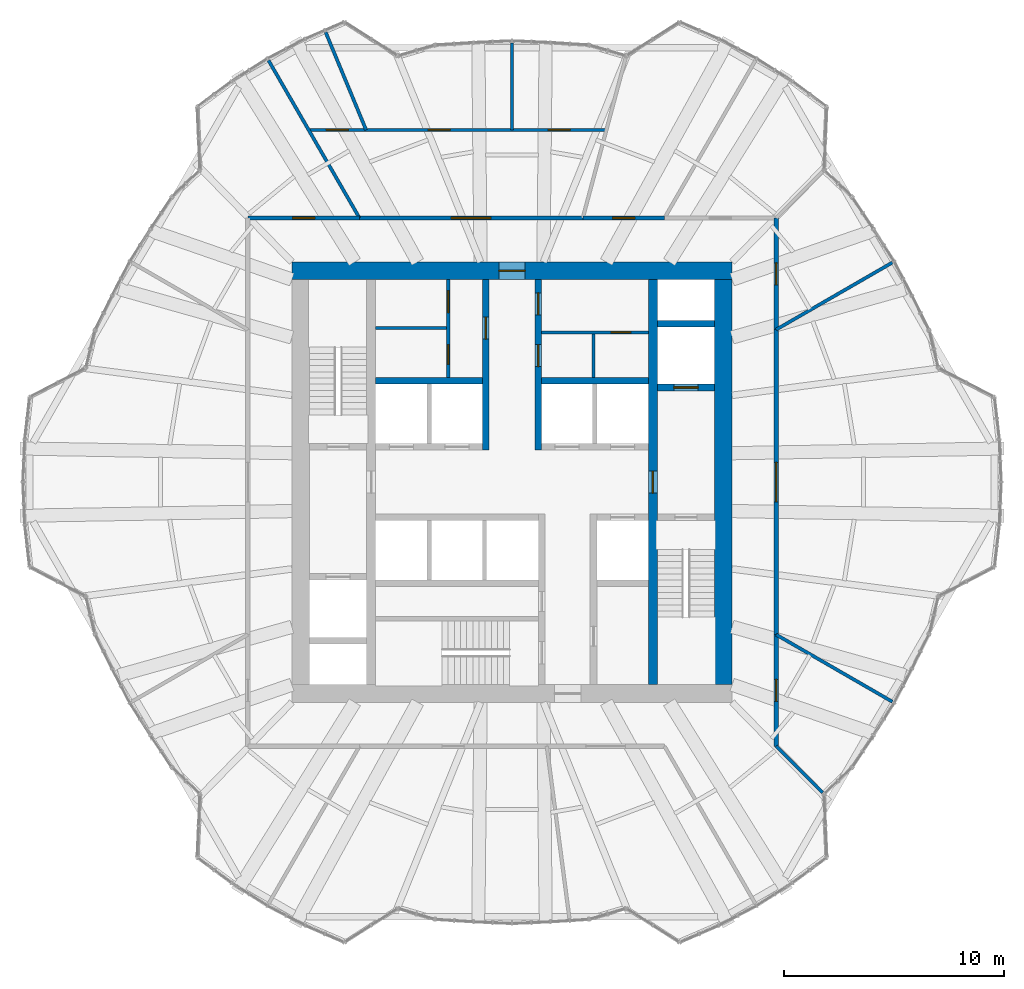
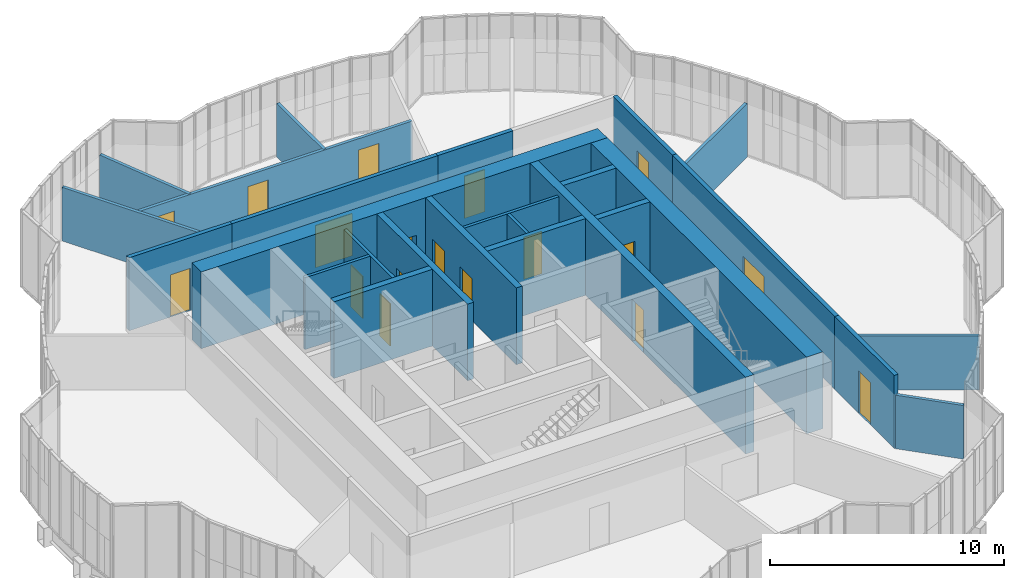
# One storey, part 22 of 24: 26 walls, 18 doors, 18 openings.
"""IFC4 building model written with IfcOpenShell, lengths in metres."""

from ifc_helpers import new_model, si_unit, direction, frame, frame_2d, origin, place, context, subcontext, project, spatial, rectangle, extrude, material, layer, layer_set, type_object, element, fill, save


model = new_model("IFC4")

# Units and contexts
model_context = context("Model", 3, precision=1e-05, world=origin(), true_north=direction((0.0, 1.0)))
body_context = subcontext(model_context, "Body", "Model", "MODEL_VIEW")
ifc_project = project(units=[si_unit("LENGTHUNIT", "METRE"), si_unit("AREAUNIT", "SQUARE_METRE"), si_unit("VOLUMEUNIT", "CUBIC_METRE"), si_unit("PLANEANGLEUNIT", "RADIAN"), si_unit("MASSUNIT", "GRAM", prefix="KILO")], contexts=[model_context])

# Site, building, storey
site_placement = place(None, origin())
site = spatial("IfcSite", under=ifc_project, at=site_placement, CompositionType="ELEMENT")
building_placement = place(site_placement, origin())
building = spatial("IfcBuilding", under=site, at=building_placement, Name="Golbaran Civic Tower", CompositionType="ELEMENT")
storey_placement = place(building_placement, frame((0.0, 0.0, 25.0)))
storey = spatial("IfcBuildingStorey", under=building, at=storey_placement, Name="L05", CompositionType="ELEMENT", Elevation=25.0)

# Wall, opening, door
ifc_material_1 = material(Name="Concrete block", Category="concrete")
ifc_layer_1 = layer(ifc_material_1, 0.14990234375, Name="Concrete block")
ifc_layer_set_1 = layer_set([ifc_layer_1], Name="Concrete block")
wall_type_1 = type_object("IfcWallType", Name="BLOCKWORK PARTITION 150", PredefinedType="PARTITIONING", material=ifc_layer_set_1)
wall_1_placement = place(storey_placement, frame((1.35009765625, 6.800048828125, 0.0), z_axis=(0.0, 0.0, 1.0), x_axis=(1.0, 0.0, 0.0)))
wall_1 = element("IfcWall", 1, at=wall_1_placement, inside=storey, type_object=wall_type_1, Name="Toilet block partition TN1 L05", PredefinedType="PARTITIONING", context=body_context, shape_type="SweptSolid", body=[
    extrude(rectangle(XDim=4.849853515625, YDim=0.14990234375, at=frame_2d((2.4248046875, 0.0))), origin(), (0.0, 0.0, 1.0), 3.75),
])
opening_1_placement = place(wall_1_placement, frame((3.14990234375, 0.0, 0.0)))
opening_1 = element("IfcOpeningElement", 2, at=opening_1_placement, cuts=wall_1, Name="Opening L05.CLN", PredefinedType="OPENING", context=body_context, shape_type="SweptSolid", body=[
    extrude(rectangle(XDim=0.89990234375, YDim=2.199951171875, at=frame_2d((0.449951171875, 1.10009765625))), frame((0.0, 0.0849609375, 0.0), z_axis=(0.0, -1.0, 0.0), x_axis=(1.0, 0.0, 0.0)), (0.0, 0.0, 1.0), 0.169921875),
])
ifc_material_2 = material(Name="Timber door set in steel frame", Category="steel")
door_type_1 = type_object("IfcDoorType", Name="RISER DOOR 900x2200", OperationType="SINGLE_SWING_LEFT", PredefinedType="DOOR", material=ifc_material_2)
door_1_placement = place(opening_1_placement, origin())
door_1 = element("IfcDoor", 3, at=door_1_placement, inside=storey, type_object=door_type_1, Name="Floor Store door", OperationType="SINGLE_SWING_RIGHT", OverallHeight=2.199951171875, OverallWidth=0.89990234375, PredefinedType="DOOR", context=body_context, shape_type="SweptSolid", body=[
    extrude(rectangle(XDim=0.89990234375, YDim=2.199951171875, at=frame_2d((0.449951171875, 1.10009765625))), frame((0.0, 0.02490234375, 0.0), z_axis=(0.0, -1.0, 0.0), x_axis=(1.0, 0.0, 0.0)), (0.0, 0.0, 1.0), 0.050048828125),
])
fill(opening_1, door_1)

# Wall
wall_2_placement = place(storey_placement, frame((3.699951171875, 4.75, 0.0), z_axis=(0.0, 0.0, 1.0), x_axis=(0.0, 1.0, 0.0)))
element("IfcWall", 4, at=wall_2_placement, inside=storey, type_object=wall_type_1, Name="Toilet block partition TN2 L05", PredefinedType="PARTITIONING", context=body_context, shape_type="SweptSolid", body=[
    extrude(rectangle(XDim=1.97509765625, YDim=0.14990234375, at=frame_2d((0.987548828125, 0.0))), origin(), (0.0, 0.0, 1.0), 3.75),
])

# Wall, opening, door
ifc_material_3 = material(Name="Concrete C50/60", Category="concrete")
ifc_layer_2 = layer(ifc_material_3, 0.39990234375, Name="Concrete C50/60")
ifc_layer_set_2 = layer_set([ifc_layer_2], Name="Concrete C50/60")
wall_type_2 = type_object("IfcWallType", Name="CORE WALL CONCRETE 400", PredefinedType="SOLIDWALL", material=ifc_layer_set_2)
wall_3_placement = place(storey_placement, frame((6.39990234375, 9.199951171875, 0.0), z_axis=(0.0, 0.0, 1.0), x_axis=(0.0, -1.0, 0.0)))
wall_3 = element("IfcWall", 5, at=wall_3_placement, inside=storey, type_object=wall_type_2, Name="Core wall IE L05", PredefinedType="SOLIDWALL", context=body_context, shape_type="SweptSolid", body=[
    extrude(rectangle(XDim=18.39990234375, YDim=0.39990234375, at=frame_2d((9.199951171875, 0.0))), origin(), (0.0, 0.0, 1.0), 4.0),
])
opening_2_placement = place(wall_3_placement, frame((8.699951171875, 0.0, 0.0)))
opening_2 = element("IfcOpeningElement", 6, at=opening_2_placement, cuts=wall_3, Name="Opening L05.FL2", PredefinedType="OPENING", context=body_context, shape_type="SweptSolid", body=[
    extrude(rectangle(XDim=1.0, YDim=2.199951171875, at=frame_2d((0.5, 1.10009765625))), frame((0.0, 0.2099609375, 0.0), z_axis=(0.0, -1.0, 0.0), x_axis=(1.0, 0.0, 0.0)), (0.0, 0.0, 1.0), 0.419921875),
])
door_type_2 = type_object("IfcDoorType", Name="STAIR DOOR 1000x2200", OperationType="SINGLE_SWING_LEFT", PredefinedType="DOOR", material=ifc_material_2)
door_2_placement = place(opening_2_placement, origin())
door_2 = element("IfcDoor", 7, at=door_2_placement, inside=storey, type_object=door_type_2, Name="Fire-fighting lobby FL2 door", OperationType="SINGLE_SWING_RIGHT", OverallHeight=2.199951171875, OverallWidth=1.0, PredefinedType="DOOR", context=body_context, shape_type="SweptSolid", body=[
    extrude(rectangle(XDim=1.0, YDim=2.199951171875, at=frame_2d((0.5, 1.10009765625))), frame((0.0, 0.02490234375, 0.0), z_axis=(0.0, -1.0, 0.0), x_axis=(1.0, 0.0, 0.0)), (0.0, 0.0, 1.0), 0.050048828125),
])
fill(opening_2, door_2)

ifc_layer_3 = layer(ifc_material_3, 0.800048828125, Name="Concrete C50/60")
ifc_layer_set_3 = layer_set([ifc_layer_3], Name="Concrete C50/60")
wall_type_3 = type_object("IfcWallType", Name="CORE WALL CONCRETE 800", PredefinedType="SOLIDWALL", material=ifc_layer_set_3)
wall_4_placement = place(storey_placement, frame((-10.0, 9.60009765625, 0.0), z_axis=(0.0, 0.0, 1.0), x_axis=(1.0, 0.0, 0.0)))
wall_4 = element("IfcWall", 8, at=wall_4_placement, inside=storey, type_object=wall_type_3, Name="Core wall CN L05", PredefinedType="SOLIDWALL", context=body_context, shape_type="SweptSolid", body=[
    extrude(rectangle(XDim=20.0, YDim=0.800048828125, at=frame_2d((10.0, 0.0))), origin(), (0.0, 0.0, 1.0), 4.0),
])
opening_3_placement = place(wall_4_placement, frame((9.39990234375, 0.0, 0.0)))
opening_3 = element("IfcOpeningElement", 9, at=opening_3_placement, cuts=wall_4, Name="Opening L05.CN", PredefinedType="OPENING", context=body_context, shape_type="SweptSolid", body=[
    extrude(rectangle(XDim=1.199951171875, YDim=2.199951171875, at=frame_2d((0.60009765625, 1.10009765625))), frame((0.0, 0.409912109375, 0.0), z_axis=(0.0, -1.0, 0.0), x_axis=(1.0, 0.0, 0.0)), (0.0, 0.0, 1.0), 0.820068359375),
])
door_type_3 = type_object("IfcDoorType", Name="CORE DOOR 1200x2200", OperationType="DOUBLE_DOOR_SINGLE_SWING", PredefinedType="DOOR", material=ifc_material_2)
door_3_placement = place(opening_3_placement, origin())
door_3 = element("IfcDoor", 10, at=door_3_placement, inside=storey, type_object=door_type_3, Name="Core door north", OperationType="DOUBLE_DOOR_SINGLE_SWING", OverallHeight=2.199951171875, OverallWidth=1.199951171875, PredefinedType="DOOR", context=body_context, shape_type="SweptSolid", body=[
    extrude(rectangle(XDim=1.199951171875, YDim=2.199951171875, at=frame_2d((0.60009765625, 1.10009765625))), frame((0.0, 0.02490234375, 0.0), z_axis=(0.0, -1.0, 0.0), x_axis=(1.0, 0.0, 0.0)), (0.0, 0.0, 1.0), 0.050048828125),
])
fill(opening_3, door_3)

# Wall
wall_5_placement = place(storey_placement, frame((9.60009765625, -9.199951171875, 0.0), z_axis=(0.0, 0.0, 1.0), x_axis=(0.0, 1.0, 0.0)))
element("IfcWall", 11, at=wall_5_placement, inside=storey, type_object=wall_type_3, Name="Core wall CE L05", PredefinedType="SOLIDWALL", context=body_context, shape_type="SweptSolid", body=[
    extrude(rectangle(XDim=18.39990234375, YDim=0.800048828125, at=frame_2d((9.199951171875, 0.0))), origin(), (0.0, 0.0, 1.0), 4.0),
])

# Wall, opening, door
ifc_material_4 = material(Name="Gypsum board on steel studs, fire-rated", Category="steel")
ifc_layer_4 = layer(ifc_material_4, 0.199951171875, Name="Gypsum board on steel studs, fire-rated")
ifc_layer_set_4 = layer_set([ifc_layer_4], Name="Gypsum board on steel studs, fire-rated")
wall_type_4 = type_object("IfcWallType", Name="CORRIDOR WALL 200", PredefinedType="PARTITIONING", material=ifc_layer_set_4)
wall_6_placement = place(storey_placement, frame((12.0, -6.92822265625, 0.0), z_axis=(0.0, 0.0, 1.0), x_axis=(0.0, 1.0, 0.0)))
wall_6 = element("IfcWall", 12, at=wall_6_placement, inside=storey, type_object=wall_type_4, Name="Corridor wall L05", PredefinedType="PARTITIONING", context=body_context, shape_type="SweptSolid", body=[
    extrude(rectangle(XDim=13.8564453125, YDim=0.199951171875, at=frame_2d((6.92822265625, 0.0))), origin(), (0.0, 0.0, 1.0), 3.800048828125),
])
opening_4_placement = place(wall_6_placement, frame((6.0283203125, 0.0, 0.0)))
opening_4 = element("IfcOpeningElement", 13, at=opening_4_placement, cuts=wall_6, Name="Opening L05.05", PredefinedType="OPENING", context=body_context, shape_type="SweptSolid", body=[
    extrude(rectangle(XDim=1.800048828125, YDim=2.199951171875, at=frame_2d((0.89990234375, 1.10009765625))), frame((0.0, 0.10986328125, 0.0), z_axis=(0.0, -1.0, 0.0), x_axis=(1.0, 0.0, 0.0)), (0.0, 0.0, 1.0), 0.219970703125),
])
door_type_4 = type_object("IfcDoorType", Name="OFFICE DOUBLE DOOR 1800x2200", OperationType="DOUBLE_DOOR_SINGLE_SWING", PredefinedType="DOOR", material=ifc_material_2)
door_4_placement = place(opening_4_placement, origin())
door_4 = element("IfcDoor", 14, at=door_4_placement, inside=storey, type_object=door_type_4, Name="Project Room door L05", OperationType="DOUBLE_DOOR_SINGLE_SWING", OverallHeight=2.199951171875, OverallWidth=1.800048828125, PredefinedType="DOOR", context=body_context, shape_type="SweptSolid", body=[
    extrude(rectangle(XDim=1.800048828125, YDim=2.199951171875, at=frame_2d((0.89990234375, 1.10009765625))), frame((0.0, 0.02490234375, 0.0), z_axis=(0.0, -1.0, 0.0), x_axis=(1.0, 0.0, 0.0)), (0.0, 0.0, 1.0), 0.050048828125),
])
fill(opening_4, door_4)

wall_7_placement = place(storey_placement, frame((12.0, 6.92822265625, 0.0), z_axis=(0.0, 0.0, 1.0), x_axis=(0.0, 1.0, 0.0)))
wall_7 = element("IfcWall", 15, at=wall_7_placement, inside=storey, type_object=wall_type_4, Name="Corridor wall L05", PredefinedType="PARTITIONING", context=body_context, shape_type="SweptSolid", body=[
    extrude(rectangle(XDim=5.07177734375, YDim=0.199951171875, at=frame_2d((2.535888671875, 0.0))), origin(), (0.0, 0.0, 1.0), 3.800048828125),
])
opening_5_placement = place(wall_7_placement, frame((2.035888671875, 0.0, 0.0)))
opening_5 = element("IfcOpeningElement", 16, at=opening_5_placement, cuts=wall_7, Name="Opening L05.06", PredefinedType="OPENING", context=body_context, shape_type="SweptSolid", body=[
    extrude(rectangle(XDim=1.0, YDim=2.199951171875, at=frame_2d((0.5, 1.10009765625))), frame((0.0, 0.10986328125, 0.0), z_axis=(0.0, -1.0, 0.0), x_axis=(1.0, 0.0, 0.0)), (0.0, 0.0, 1.0), 0.219970703125),
])
door_type_5 = type_object("IfcDoorType", Name="OFFICE DOOR 1000x2200", OperationType="SINGLE_SWING_LEFT", PredefinedType="DOOR", material=ifc_material_2)
door_5_placement = place(opening_5_placement, origin())
door_5 = element("IfcDoor", 17, at=door_5_placement, inside=storey, type_object=door_type_5, Name="Prayer Room door L05", OperationType="SINGLE_SWING_LEFT", OverallHeight=2.199951171875, OverallWidth=1.0, PredefinedType="DOOR", context=body_context, shape_type="SweptSolid", body=[
    extrude(rectangle(XDim=1.0, YDim=2.199951171875, at=frame_2d((0.5, 1.10009765625))), frame((0.0, 0.02490234375, 0.0), z_axis=(0.0, -1.0, 0.0), x_axis=(1.0, 0.0, 0.0)), (0.0, 0.0, 1.0), 0.050048828125),
])
fill(opening_5, door_5)

wall_8_placement = place(storey_placement, frame((6.92822265625, 12.0, 0.0), z_axis=(0.0, 0.0, 1.0), x_axis=(-1.0, 0.0, 0.0)))
wall_8 = element("IfcWall", 18, at=wall_8_placement, inside=storey, type_object=wall_type_4, Name="Corridor wall L05", PredefinedType="PARTITIONING", context=body_context, shape_type="SweptSolid", body=[
    extrude(rectangle(XDim=3.712890625, YDim=0.199951171875, at=frame_2d((1.8564453125, 0.0))), origin(), (0.0, 0.0, 1.0), 3.800048828125),
])
opening_6_placement = place(wall_8_placement, frame((1.3564453125, 0.0, 0.0)))
opening_6 = element("IfcOpeningElement", 19, at=opening_6_placement, cuts=wall_8, Name="Opening L05.08", PredefinedType="OPENING", context=body_context, shape_type="SweptSolid", body=[
    extrude(rectangle(XDim=1.0, YDim=2.199951171875, at=frame_2d((0.5, 1.10009765625))), frame((0.0, 0.10986328125, 0.0), z_axis=(0.0, -1.0, 0.0), x_axis=(1.0, 0.0, 0.0)), (0.0, 0.0, 1.0), 0.219970703125),
])
door_6_placement = place(opening_6_placement, origin())
door_6 = element("IfcDoor", 20, at=door_6_placement, inside=storey, type_object=door_type_5, Name="Meeting Room door L05", OperationType="SINGLE_SWING_RIGHT", OverallHeight=2.199951171875, OverallWidth=1.0, PredefinedType="DOOR", context=body_context, shape_type="SweptSolid", body=[
    extrude(rectangle(XDim=1.0, YDim=2.199951171875, at=frame_2d((0.5, 1.10009765625))), frame((0.0, 0.02490234375, 0.0), z_axis=(0.0, -1.0, 0.0), x_axis=(1.0, 0.0, 0.0)), (0.0, 0.0, 1.0), 0.050048828125),
])
fill(opening_6, door_6)

wall_9_placement = place(storey_placement, frame((3.21533203125, 12.0, 0.0), z_axis=(0.0, 0.0, 1.0), x_axis=(-1.0, 0.0, 0.0)))
wall_9 = element("IfcWall", 21, at=wall_9_placement, inside=storey, type_object=wall_type_4, Name="Corridor wall L05", PredefinedType="PARTITIONING", context=body_context, shape_type="SweptSolid", body=[
    extrude(rectangle(XDim=10.1435546875, YDim=0.199951171875, at=frame_2d((5.07177734375, 0.0))), origin(), (0.0, 0.0, 1.0), 3.800048828125),
])
opening_7_placement = place(wall_9_placement, frame((4.171875, 0.0, 0.0)))
opening_7 = element("IfcOpeningElement", 22, at=opening_7_placement, cuts=wall_9, Name="Opening L05.09", PredefinedType="OPENING", context=body_context, shape_type="SweptSolid", body=[
    extrude(rectangle(XDim=1.800048828125, YDim=2.199951171875, at=frame_2d((0.89990234375, 1.10009765625))), frame((0.0, 0.10986328125, 0.0), z_axis=(0.0, -1.0, 0.0), x_axis=(1.0, 0.0, 0.0)), (0.0, 0.0, 1.0), 0.219970703125),
])
door_7_placement = place(opening_7_placement, origin())
door_7 = element("IfcDoor", 23, at=door_7_placement, inside=storey, type_object=door_type_4, Name="Waiting Area door L05", OperationType="DOUBLE_DOOR_SINGLE_SWING", OverallHeight=2.199951171875, OverallWidth=1.800048828125, PredefinedType="DOOR", context=body_context, shape_type="SweptSolid", body=[
    extrude(rectangle(XDim=1.800048828125, YDim=2.199951171875, at=frame_2d((0.89990234375, 1.10009765625))), frame((0.0, 0.02490234375, 0.0), z_axis=(0.0, -1.0, 0.0), x_axis=(1.0, 0.0, 0.0)), (0.0, 0.0, 1.0), 0.050048828125),
])
fill(opening_7, door_7)

wall_10_placement = place(storey_placement, frame((-6.92822265625, 12.0, 0.0), z_axis=(0.0, 0.0, 1.0), x_axis=(-1.0, 0.0, 0.0)))
wall_10 = element("IfcWall", 24, at=wall_10_placement, inside=storey, type_object=wall_type_4, Name="Corridor wall L05", PredefinedType="PARTITIONING", context=body_context, shape_type="SweptSolid", body=[
    extrude(rectangle(XDim=5.07177734375, YDim=0.199951171875, at=frame_2d((2.535888671875, 0.0))), origin(), (0.0, 0.0, 1.0), 3.800048828125),
])
opening_8_placement = place(wall_10_placement, frame((2.035888671875, 0.0, 0.0)))
opening_8 = element("IfcOpeningElement", 25, at=opening_8_placement, cuts=wall_10, Name="Opening L05.10", PredefinedType="OPENING", context=body_context, shape_type="SweptSolid", body=[
    extrude(rectangle(XDim=1.0, YDim=2.199951171875, at=frame_2d((0.5, 1.10009765625))), frame((0.0, 0.10986328125, 0.0), z_axis=(0.0, -1.0, 0.0), x_axis=(1.0, 0.0, 0.0)), (0.0, 0.0, 1.0), 0.219970703125),
])
door_8_placement = place(opening_8_placement, origin())
door_8 = element("IfcDoor", 26, at=door_8_placement, inside=storey, type_object=door_type_5, Name="Quiet Room door L05", OperationType="SINGLE_SWING_RIGHT", OverallHeight=2.199951171875, OverallWidth=1.0, PredefinedType="DOOR", context=body_context, shape_type="SweptSolid", body=[
    extrude(rectangle(XDim=1.0, YDim=2.199951171875, at=frame_2d((0.5, 1.10009765625))), frame((0.0, 0.02490234375, 0.0), z_axis=(0.0, -1.0, 0.0), x_axis=(1.0, 0.0, 0.0)), (0.0, 0.0, 1.0), 0.050048828125),
])
fill(opening_8, door_8)

wall_11_placement = place(storey_placement, frame((12.0, -12.0, 0.0), z_axis=(0.0, 0.0, 1.0), x_axis=(0.0, 1.0, 0.0)))
wall_11 = element("IfcWall", 27, at=wall_11_placement, inside=storey, type_object=wall_type_4, Name="Corridor wall L05", PredefinedType="PARTITIONING", context=body_context, shape_type="SweptSolid", body=[
    extrude(rectangle(XDim=5.07177734375, YDim=0.199951171875, at=frame_2d((2.535888671875, 0.0))), origin(), (0.0, 0.0, 1.0), 3.800048828125),
])
opening_9_placement = place(wall_11_placement, frame((2.035888671875, 0.0, 0.0)))
opening_9 = element("IfcOpeningElement", 28, at=opening_9_placement, cuts=wall_11, Name="Opening L05.15", PredefinedType="OPENING", context=body_context, shape_type="SweptSolid", body=[
    extrude(rectangle(XDim=1.0, YDim=2.199951171875, at=frame_2d((0.5, 1.10009765625))), frame((0.0, 0.10986328125, 0.0), z_axis=(0.0, -1.0, 0.0), x_axis=(1.0, 0.0, 0.0)), (0.0, 0.0, 1.0), 0.219970703125),
])
door_9_placement = place(opening_9_placement, origin())
door_9 = element("IfcDoor", 29, at=door_9_placement, inside=storey, type_object=door_type_5, Name="Print and Copy Room door L05", OperationType="SINGLE_SWING_LEFT", OverallHeight=2.199951171875, OverallWidth=1.0, PredefinedType="DOOR", context=body_context, shape_type="SweptSolid", body=[
    extrude(rectangle(XDim=1.0, YDim=2.199951171875, at=frame_2d((0.5, 1.10009765625))), frame((0.0, 0.02490234375, 0.0), z_axis=(0.0, -1.0, 0.0), x_axis=(1.0, 0.0, 0.0)), (0.0, 0.0, 1.0), 0.050048828125),
])
fill(opening_9, door_9)

# Walls
ifc_material_5 = material(Name="Gypsum board on steel studs", Category="steel")
ifc_layer_5 = layer(ifc_material_5, 0.14990234375, Name="Gypsum board on steel studs")
ifc_layer_set_5 = layer_set([ifc_layer_5], Name="Gypsum board on steel studs")
wall_type_5 = type_object("IfcWallType", Name="OFFICE PARTITION 150", PredefinedType="PARTITIONING", material=ifc_layer_set_5)
for number, where, z_axis, x_axis, name in (
    (30, (12.0, -6.92822265625, 0.0), (0.0, 0.0, 1.0), (0.866024937074, -0.500000808366, 0.0), "Partition 330 L05"),
    (31, (12.0, 6.92822265625, 0.0), (0.0, 0.0, 1.0), (0.866024937074, 0.500000808366, 0.0), "Partition 30 L05"),
):
    element("IfcWall", number, at=place(storey_placement, frame(where, z_axis=z_axis, x_axis=x_axis)), inside=storey, type_object=wall_type_5, Name=name, PredefinedType="PARTITIONING", context=body_context, shape_type="SweptSolid", body=[
        extrude(rectangle(XDim=6.09912109375, YDim=0.14990234375, at=frame_2d((3.049560546875, 0.0))), origin(), (0.0, 0.0, 1.0), 2.7900390625),
    ])
wall_12_placement = place(storey_placement, frame((-6.92822265625, 12.0, 0.0), z_axis=(0.0, 0.0, 1.0), x_axis=(-0.499988970207, 0.866031771745, 0.0)))
element("IfcWall", 32, at=wall_12_placement, inside=storey, type_object=wall_type_5, Name="Partition 120 L05", PredefinedType="PARTITIONING", context=body_context, shape_type="SweptSolid", body=[
    extrude(rectangle(XDim=8.273193359375, YDim=0.14990234375, at=frame_2d((4.13671875, 0.0))), origin(), (0.0, 0.0, 1.0), 2.7900390625),
])
wall_13_placement = place(storey_placement, frame((12.0, -12.0, 0.0), z_axis=(0.0, 0.0, 1.0), x_axis=(0.707106781187, -0.707106781187, 0.0)))
element("IfcWall", 33, at=wall_13_placement, inside=storey, type_object=wall_type_5, Name="Partition 315 L05", PredefinedType="PARTITIONING", context=body_context, shape_type="SweptSolid", body=[
    extrude(rectangle(XDim=2.98486328125, YDim=0.14990234375, at=frame_2d((1.492431640625, 0.0))), origin(), (0.0, 0.0, 1.0), 2.7900390625),
])

# Wall, openings, doors
wall_14_placement = place(storey_placement, frame((4.287109375, 16.0, 0.0), z_axis=(0.0, 0.0, 1.0), x_axis=(-1.0, 0.0, 0.0)))
wall_14 = element("IfcWall", 34, at=wall_14_placement, inside=storey, type_object=wall_type_5, Name="Suite partition L05", PredefinedType="PARTITIONING", context=body_context, shape_type="SweptSolid", body=[
    extrude(rectangle(XDim=13.524658203125, YDim=0.14990234375, at=frame_2d((6.76220703125, 0.0))), origin(), (0.0, 0.0, 1.0), 2.7900390625),
])
opening_10_placement = place(wall_14_placement, frame((1.6435546875, 0.0, 0.0)))
opening_10 = element("IfcOpeningElement", 35, at=opening_10_placement, cuts=wall_14, Name="Opening L05.02", PredefinedType="OPENING", context=body_context, shape_type="SweptSolid", body=[
    extrude(rectangle(XDim=1.0, YDim=2.199951171875, at=frame_2d((0.5, 1.10009765625))), frame((0.0, 0.0849609375, 0.0), z_axis=(0.0, -1.0, 0.0), x_axis=(1.0, 0.0, 0.0)), (0.0, 0.0, 1.0), 0.169921875),
])
opening_11_placement = place(wall_14_placement, frame((7.100830078125, 0.0, 0.0)))
opening_11 = element("IfcOpeningElement", 36, at=opening_11_placement, cuts=wall_14, Name="Opening L05.03", PredefinedType="OPENING", context=body_context, shape_type="SweptSolid", body=[
    extrude(rectangle(XDim=1.0, YDim=2.199951171875, at=frame_2d((0.5, 1.10009765625))), frame((0.0, 0.0849609375, 0.0), z_axis=(0.0, -1.0, 0.0), x_axis=(1.0, 0.0, 0.0)), (0.0, 0.0, 1.0), 0.169921875),
])
opening_12_placement = place(wall_14_placement, frame((11.7197265625, 0.0, 0.0)))
opening_12 = element("IfcOpeningElement", 37, at=opening_12_placement, cuts=wall_14, Name="Opening L05.04", PredefinedType="OPENING", context=body_context, shape_type="SweptSolid", body=[
    extrude(rectangle(XDim=1.0, YDim=2.199951171875, at=frame_2d((0.5, 1.10009765625))), frame((0.0, 0.0849609375, 0.0), z_axis=(0.0, -1.0, 0.0), x_axis=(1.0, 0.0, 0.0)), (0.0, 0.0, 1.0), 0.169921875),
])
door_10_placement = place(opening_10_placement, origin())
door_10 = element("IfcDoor", 38, at=door_10_placement, inside=storey, type_object=door_type_5, Name="Director's Office door L05", OperationType="SINGLE_SWING_LEFT", OverallHeight=2.199951171875, OverallWidth=1.0, PredefinedType="DOOR", context=body_context, shape_type="SweptSolid", body=[
    extrude(rectangle(XDim=1.0, YDim=2.199951171875, at=frame_2d((0.5, 1.10009765625))), frame((0.0, 0.02490234375, 0.0), z_axis=(0.0, -1.0, 0.0), x_axis=(1.0, 0.0, 0.0)), (0.0, 0.0, 1.0), 0.050048828125),
])
fill(opening_10, door_10)
door_11_placement = place(opening_11_placement, origin())
door_11 = element("IfcDoor", 39, at=door_11_placement, inside=storey, type_object=door_type_5, Name="Office door L05", OperationType="SINGLE_SWING_RIGHT", OverallHeight=2.199951171875, OverallWidth=1.0, PredefinedType="DOOR", context=body_context, shape_type="SweptSolid", body=[
    extrude(rectangle(XDim=1.0, YDim=2.199951171875, at=frame_2d((0.5, 1.10009765625))), frame((0.0, 0.02490234375, 0.0), z_axis=(0.0, -1.0, 0.0), x_axis=(1.0, 0.0, 0.0)), (0.0, 0.0, 1.0), 0.050048828125),
])
fill(opening_11, door_11)
door_12_placement = place(opening_12_placement, origin())
door_12 = element("IfcDoor", 40, at=door_12_placement, inside=storey, type_object=door_type_5, Name="Director's Office door L05", OperationType="SINGLE_SWING_RIGHT", OverallHeight=2.199951171875, OverallWidth=1.0, PredefinedType="DOOR", context=body_context, shape_type="SweptSolid", body=[
    extrude(rectangle(XDim=1.0, YDim=2.199951171875, at=frame_2d((0.5, 1.10009765625))), frame((0.0, 0.02490234375, 0.0), z_axis=(0.0, -1.0, 0.0), x_axis=(1.0, 0.0, 0.0)), (0.0, 0.0, 1.0), 0.050048828125),
])
fill(opening_12, door_12)

# Walls
wall_15_placement = place(storey_placement, frame((0.0, 16.0, 0.0), z_axis=(0.0, 0.0, 1.0), x_axis=(0.0, 1.0, 0.0)))
element("IfcWall", 41, at=wall_15_placement, inside=storey, type_object=wall_type_5, Name="Partition 90 L05", PredefinedType="PARTITIONING", context=body_context, shape_type="SweptSolid", body=[
    extrude(rectangle(XDim=3.95556640625, YDim=0.14990234375, at=frame_2d((1.977783203125, 0.0))), origin(), (0.0, 0.0, 1.0), 2.7900390625),
])
wall_16_placement = place(storey_placement, frame((-6.62744140625, 16.0, 0.0), z_axis=(0.0, 0.0, 1.0), x_axis=(-0.382688295595, 0.92387751808, 0.0)))
element("IfcWall", 42, at=wall_16_placement, inside=storey, type_object=wall_type_5, Name="Partition 112.5 L05", PredefinedType="PARTITIONING", context=body_context, shape_type="SweptSolid", body=[
    extrude(rectangle(XDim=4.8056640625, YDim=0.14990234375, at=frame_2d((2.40283203125, 0.0))), origin(), (0.0, 0.0, 1.0), 2.7900390625),
])
ifc_layer_6 = layer(ifc_material_3, 0.300048828125, Name="Concrete C50/60")
ifc_layer_set_6 = layer_set([ifc_layer_6], Name="Concrete C50/60")
wall_type_6 = type_object("IfcWallType", Name="SHAFT WALL CONCRETE 300", PredefinedType="SOLIDWALL", material=ifc_layer_set_6)
for number, where, z_axis, x_axis, name in (
    (43, (-6.199951171875, 4.60009765625, 0.0), (0.0, 0.0, 1.0), (1.0, 0.0, 0.0), "Core wall BNW L05"),
    (44, (1.35009765625, 4.60009765625, 0.0), (0.0, 0.0, 1.0), (1.0, 0.0, 0.0), "Core wall BNE L05"),
):
    element("IfcWall", number, at=place(storey_placement, frame(where, z_axis=z_axis, x_axis=x_axis)), inside=storey, type_object=wall_type_6, Name=name, PredefinedType="SOLIDWALL", context=body_context, shape_type="SweptSolid", body=[
        extrude(rectangle(XDim=4.849853515625, YDim=0.300048828125, at=frame_2d((2.4248046875, 0.0))), origin(), (0.0, 0.0, 1.0), 4.0),
    ])

# Wall, opening, door
wall_17_placement = place(storey_placement, frame((-1.199951171875, 1.449951171875, 0.0), z_axis=(0.0, 0.0, 1.0), x_axis=(0.0, 1.0, 0.0)))
wall_17 = element("IfcWall", 45, at=wall_17_placement, inside=storey, type_object=wall_type_6, Name="Core wall PNW L05", PredefinedType="SOLIDWALL", context=body_context, shape_type="SweptSolid", body=[
    extrude(rectangle(XDim=7.75, YDim=0.300048828125, at=frame_2d((3.875, 0.0))), origin(), (0.0, 0.0, 1.0), 4.0),
])
opening_13_placement = place(wall_17_placement, frame((5.050048828125, 0.0, 0.0)))
opening_13 = element("IfcOpeningElement", 46, at=opening_13_placement, cuts=wall_17, Name="Opening L05.WCM", PredefinedType="OPENING", context=body_context, shape_type="SweptSolid", body=[
    extrude(rectangle(XDim=1.0, YDim=2.199951171875, at=frame_2d((0.5, 1.10009765625))), frame((0.0, 0.159912109375, 0.0), z_axis=(0.0, -1.0, 0.0), x_axis=(1.0, 0.0, 0.0)), (0.0, 0.0, 1.0), 0.320068359375),
])
door_type_6 = type_object("IfcDoorType", Name="TOILET DOOR 1000x2200", OperationType="SINGLE_SWING_LEFT", PredefinedType="DOOR", material=ifc_material_2)
door_13_placement = place(opening_13_placement, origin())
door_13 = element("IfcDoor", 47, at=door_13_placement, inside=storey, type_object=door_type_6, Name="North-west toilet block door", OperationType="SINGLE_SWING_RIGHT", OverallHeight=2.199951171875, OverallWidth=1.0, PredefinedType="DOOR", context=body_context, shape_type="SweptSolid", body=[
    extrude(rectangle(XDim=1.0, YDim=2.199951171875, at=frame_2d((0.5, 1.10009765625))), frame((0.0, 0.02490234375, 0.0), z_axis=(0.0, -1.0, 0.0), x_axis=(1.0, 0.0, 0.0)), (0.0, 0.0, 1.0), 0.050048828125),
])
fill(opening_13, door_13)

# Wall, openings, doors
wall_18_placement = place(storey_placement, frame((1.199951171875, 1.449951171875, 0.0), z_axis=(0.0, 0.0, 1.0), x_axis=(0.0, 1.0, 0.0)))
wall_18 = element("IfcWall", 48, at=wall_18_placement, inside=storey, type_object=wall_type_6, Name="Core wall PNE L05", PredefinedType="SOLIDWALL", context=body_context, shape_type="SweptSolid", body=[
    extrude(rectangle(XDim=7.75, YDim=0.300048828125, at=frame_2d((3.875, 0.0))), origin(), (0.0, 0.0, 1.0), 4.0),
])
opening_14_placement = place(wall_18_placement, frame((3.800048828125, 0.0, 0.0)))
opening_14 = element("IfcOpeningElement", 49, at=opening_14_placement, cuts=wall_18, Name="Opening L05.WCA", PredefinedType="OPENING", context=body_context, shape_type="SweptSolid", body=[
    extrude(rectangle(XDim=1.0, YDim=2.199951171875, at=frame_2d((0.5, 1.10009765625))), frame((0.0, 0.159912109375, 0.0), z_axis=(0.0, -1.0, 0.0), x_axis=(1.0, 0.0, 0.0)), (0.0, 0.0, 1.0), 0.320068359375),
])
opening_15_placement = place(wall_18_placement, frame((6.14990234375, 0.0, 0.0)))
opening_15 = element("IfcOpeningElement", 50, at=opening_15_placement, cuts=wall_18, Name="Opening L05.WCF", PredefinedType="OPENING", context=body_context, shape_type="SweptSolid", body=[
    extrude(rectangle(XDim=1.0, YDim=2.199951171875, at=frame_2d((0.5, 1.10009765625))), frame((0.0, 0.159912109375, 0.0), z_axis=(0.0, -1.0, 0.0), x_axis=(1.0, 0.0, 0.0)), (0.0, 0.0, 1.0), 0.320068359375),
])
door_14_placement = place(opening_14_placement, origin())
door_14 = element("IfcDoor", 51, at=door_14_placement, inside=storey, type_object=door_type_6, Name="Accessible WC door", OperationType="SINGLE_SWING_RIGHT", OverallHeight=2.199951171875, OverallWidth=1.0, PredefinedType="DOOR", context=body_context, shape_type="SweptSolid", body=[
    extrude(rectangle(XDim=1.0, YDim=2.199951171875, at=frame_2d((0.5, 1.10009765625))), frame((0.0, 0.02490234375, 0.0), z_axis=(0.0, -1.0, 0.0), x_axis=(1.0, 0.0, 0.0)), (0.0, 0.0, 1.0), 0.050048828125),
])
fill(opening_14, door_14)
door_15_placement = place(opening_15_placement, origin())
door_15 = element("IfcDoor", 52, at=door_15_placement, inside=storey, type_object=door_type_6, Name="North-east toilet block door", OperationType="SINGLE_SWING_RIGHT", OverallHeight=2.199951171875, OverallWidth=1.0, PredefinedType="DOOR", context=body_context, shape_type="SweptSolid", body=[
    extrude(rectangle(XDim=1.0, YDim=2.199951171875, at=frame_2d((0.5, 1.10009765625))), frame((0.0, 0.02490234375, 0.0), z_axis=(0.0, -1.0, 0.0), x_axis=(1.0, 0.0, 0.0)), (0.0, 0.0, 1.0), 0.050048828125),
])
fill(opening_15, door_15)

# Wall, opening, door
wall_19_placement = place(storey_placement, frame((6.60009765625, 4.300048828125, 0.0), z_axis=(0.0, 0.0, 1.0), x_axis=(1.0, 0.0, 0.0)))
wall_19 = element("IfcWall", 53, at=wall_19_placement, inside=storey, type_object=wall_type_6, Name="Core wall XE2 L05", PredefinedType="SOLIDWALL", context=body_context, shape_type="SweptSolid", body=[
    extrude(rectangle(XDim=2.599853515625, YDim=0.300048828125, at=frame_2d((1.2998046875, 0.0))), origin(), (0.0, 0.0, 1.0), 4.0),
])
opening_16_placement = place(wall_19_placement, frame((0.75, 0.0, 0.0)))
opening_16 = element("IfcOpeningElement", 54, at=opening_16_placement, cuts=wall_19, Name="Opening L05.LD-F2", PredefinedType="OPENING", context=body_context, shape_type="SweptSolid", body=[
    extrude(rectangle(XDim=1.10009765625, YDim=2.199951171875, at=frame_2d((0.550048828125, 1.10009765625))), frame((0.0, 0.159912109375, 0.0), z_axis=(0.0, -1.0, 0.0), x_axis=(1.0, 0.0, 0.0)), (0.0, 0.0, 1.0), 0.320068359375),
])
ifc_material_6 = material(Name="Stainless steel", Category="steel")
door_type_7 = type_object("IfcDoorType", Name="LIFT LANDING DOOR 1100x2200", OperationType="SLIDING_TO_LEFT", PredefinedType="DOOR", material=ifc_material_6)
door_16_placement = place(opening_16_placement, origin())
door_16 = element("IfcDoor", 55, at=door_16_placement, inside=storey, type_object=door_type_7, Name="Lift landing door F2", OperationType="SLIDING_TO_LEFT", OverallHeight=2.199951171875, OverallWidth=1.10009765625, PredefinedType="DOOR", context=body_context, shape_type="SweptSolid", body=[
    extrude(rectangle(XDim=1.10009765625, YDim=2.199951171875, at=frame_2d((0.550048828125, 1.10009765625))), frame((0.0, 0.02490234375, 0.0), z_axis=(0.0, -1.0, 0.0), x_axis=(1.0, 0.0, 0.0)), (0.0, 0.0, 1.0), 0.050048828125),
])
fill(opening_16, door_16)

# Wall
wall_20_placement = place(storey_placement, frame((6.60009765625, 7.199951171875, 0.0), z_axis=(0.0, 0.0, 1.0), x_axis=(1.0, 0.0, 0.0)))
element("IfcWall", 56, at=wall_20_placement, inside=storey, type_object=wall_type_6, Name="Core wall XE3 L05", PredefinedType="SOLIDWALL", context=body_context, shape_type="SweptSolid", body=[
    extrude(rectangle(XDim=2.599853515625, YDim=0.300048828125, at=frame_2d((1.2998046875, 0.0))), origin(), (0.0, 0.0, 1.0), 4.0),
])

# Wall, openings, doors
ifc_material_7 = material(Name="Moisture-resistant gypsum board on steel studs", Category="steel")
ifc_layer_7 = layer(ifc_material_7, 0.14990234375, Name="Moisture-resistant gypsum board on steel studs")
ifc_layer_set_7 = layer_set([ifc_layer_7], Name="Moisture-resistant gypsum board on steel studs")
wall_type_7 = type_object("IfcWallType", Name="TOILET BLOCK PARTITION 150", PredefinedType="PARTITIONING", material=ifc_layer_set_7)
wall_21_placement = place(storey_placement, frame((-2.89990234375, 4.75, 0.0), z_axis=(0.0, 0.0, 1.0), x_axis=(0.0, 1.0, 0.0)))
wall_21 = element("IfcWall", 57, at=wall_21_placement, inside=storey, type_object=wall_type_7, Name="Toilet block partition MWL L05", PredefinedType="PARTITIONING", context=body_context, shape_type="SweptSolid", body=[
    extrude(rectangle(XDim=4.449951171875, YDim=0.14990234375, at=frame_2d((2.22509765625, 0.0))), origin(), (0.0, 0.0, 1.0), 3.75),
])
opening_17_placement = place(wall_21_placement, frame((2.949951171875, 0.0, 0.0)))
opening_17 = element("IfcOpeningElement", 58, at=opening_17_placement, cuts=wall_21, Name="Opening L05.16", PredefinedType="OPENING", context=body_context, shape_type="SweptSolid", body=[
    extrude(rectangle(XDim=1.0, YDim=2.199951171875, at=frame_2d((0.5, 1.10009765625))), frame((0.0, 0.0849609375, 0.0), z_axis=(0.0, -1.0, 0.0), x_axis=(1.0, 0.0, 0.0)), (0.0, 0.0, 1.0), 0.169921875),
])
opening_18_placement = place(wall_21_placement, frame((0.60009765625, 0.0, 0.0)))
opening_18 = element("IfcOpeningElement", 59, at=opening_18_placement, cuts=wall_21, Name="Opening L05.01", PredefinedType="OPENING", context=body_context, shape_type="SweptSolid", body=[
    extrude(rectangle(XDim=0.89990234375, YDim=2.199951171875, at=frame_2d((0.449951171875, 1.10009765625))), frame((0.0, 0.0849609375, 0.0), z_axis=(0.0, -1.0, 0.0), x_axis=(1.0, 0.0, 0.0)), (0.0, 0.0, 1.0), 0.169921875),
])
door_17_placement = place(opening_18_placement, origin())
door_17 = element("IfcDoor", 60, at=door_17_placement, inside=storey, type_object=door_type_1, Name="IT and comms room door", OperationType="SINGLE_SWING_LEFT", OverallHeight=2.199951171875, OverallWidth=0.89990234375, PredefinedType="DOOR", context=body_context, shape_type="SweptSolid", body=[
    extrude(rectangle(XDim=0.89990234375, YDim=2.199951171875, at=frame_2d((0.449951171875, 1.10009765625))), frame((0.0, 0.02490234375, 0.0), z_axis=(0.0, -1.0, 0.0), x_axis=(1.0, 0.0, 0.0)), (0.0, 0.0, 1.0), 0.050048828125),
])
fill(opening_18, door_17)
door_18_placement = place(opening_17_placement, origin())
door_18 = element("IfcDoor", 61, at=door_18_placement, inside=storey, type_object=door_type_6, Name="Female WC door", OperationType="SINGLE_SWING_RIGHT", OverallHeight=2.199951171875, OverallWidth=1.0, PredefinedType="DOOR", context=body_context, shape_type="SweptSolid", body=[
    extrude(rectangle(XDim=1.0, YDim=2.199951171875, at=frame_2d((0.5, 1.10009765625))), frame((0.0, 0.02490234375, 0.0), z_axis=(0.0, -1.0, 0.0), x_axis=(1.0, 0.0, 0.0)), (0.0, 0.0, 1.0), 0.050048828125),
])
fill(opening_17, door_18)

# Wall
wall_22_placement = place(storey_placement, frame((-6.199951171875, 7.0, 0.0), z_axis=(0.0, 0.0, 1.0), x_axis=(1.0, 0.0, 0.0)))
element("IfcWall", 62, at=wall_22_placement, inside=storey, type_object=wall_type_7, Name="Toilet block partition MWX L05", PredefinedType="PARTITIONING", context=body_context, shape_type="SweptSolid", body=[
    extrude(rectangle(XDim=3.224853515625, YDim=0.14990234375, at=frame_2d((1.6123046875, 0.0))), origin(), (0.0, 0.0, 1.0), 3.75),
])

save(model, "model.ifc")
